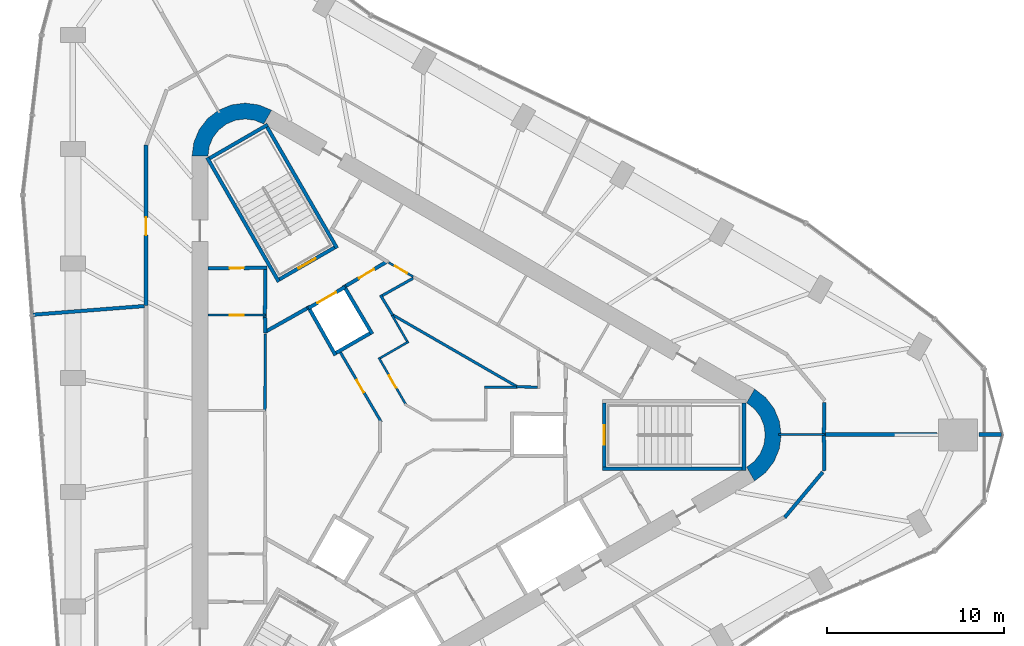
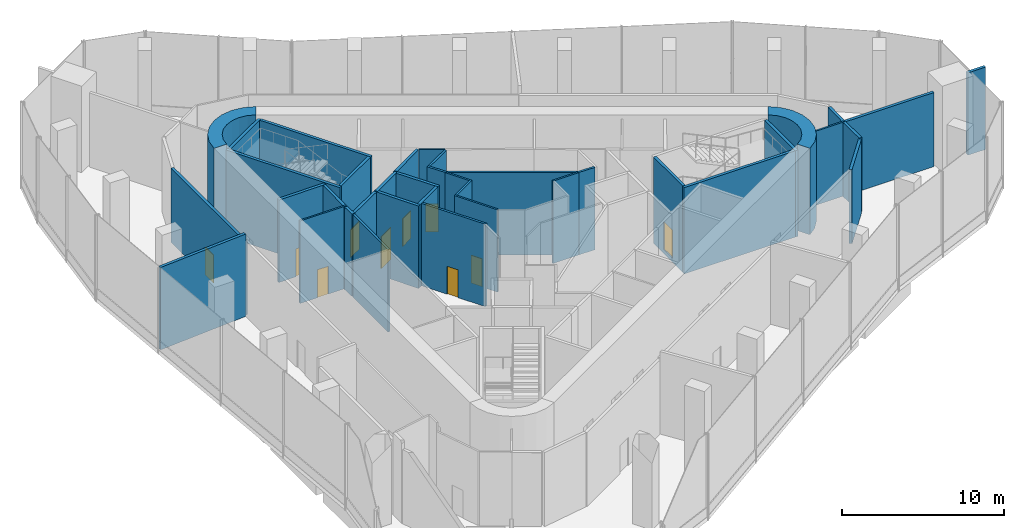
# One storey, part 9 of 13: 38 walls, 10 doors, 10 openings.
"""IFC4 building model written with IfcOpenShell, lengths in metres."""

import ifcopenshell
import ifcopenshell.guid

model = None  # the IFC model being written
_history = None  # IfcOwnerHistory: only IFC2X3 demands one
_inside = {}  # id of a spatial element -> (the spatial element, [elements in it])
_under = {}  # id of a project, library or spatial element -> (it, [spatial elements below it])
_declared = {}  # id of a project -> (the project, [libraries it declares])
_typed = {}  # id of a type object -> (the type object, [elements of that type])
_made_of = {}  # id of a material, layer set ... -> (it, [elements and type objects made of it])


def new_model(schema):
    """Start an empty IFC model of exactly this schema.

    Asked for "IFC4X3", IfcOpenShell would pick the latest addendum, in which some entities
    have other attributes; the version numbers below select the first issue.
    IFC2X3 requires an IfcOwnerHistory on every rooted entity: one is made here for all.
    """
    global model, _history
    if schema == "IFC4X3":
        model = ifcopenshell.file(schema_version=(4, 3, 0, 0))
    else:
        model = ifcopenshell.file(schema=schema)
    _inside.clear()
    _under.clear()
    _declared.clear()
    _typed.clear()
    _made_of.clear()
    _history = None
    if model.schema == "IFC2X3":
        org = make("IfcOrganization", Name="unknown")
        user = make(
            "IfcPersonAndOrganization",
            ThePerson=make("IfcPerson", FamilyName="unknown"),
            TheOrganization=org,
        )
        app = make(
            "IfcApplication",
            ApplicationDeveloper=org,
            Version="unknown",
            ApplicationFullName="unknown",
            ApplicationIdentifier="unknown",
        )
        _history = make(
            "IfcOwnerHistory",
            OwningUser=user,
            OwningApplication=app,
            ChangeAction="ADDED",
            CreationDate=0,
        )
    return model


def make(cls, **values):
    """One entity of the class cls with the attributes given. An attribute that is None is left unset."""
    return model.create_entity(
        cls, **{name: value for name, value in values.items() if value is not None}
    )


def rooted(cls, **values):
    """An entity with a GlobalId (a new one), such as an element, a storey or a relation."""
    return make(cls, GlobalId=ifcopenshell.guid.new(), OwnerHistory=_history, **values)


def si_unit(unit_type, name, prefix=None):
    """IfcSIUnit, for example si_unit("LENGTHUNIT", "METRE", prefix="MILLI")."""
    return make("IfcSIUnit", UnitType=unit_type, Prefix=prefix, Name=name)


def assignment(units):
    """IfcUnitAssignment: the units of a project."""
    return None if units is None else make("IfcUnitAssignment", Units=units)


def point(xyz):
    """IfcCartesianPoint."""
    return None if xyz is None else make("IfcCartesianPoint", Coordinates=xyz)


def direction(xyz):
    """IfcDirection."""
    return None if xyz is None else make("IfcDirection", DirectionRatios=xyz)


def frame(location, z_axis=None, x_axis=None):
    """IfcAxis2Placement3D, a coordinate frame: its origin and axes. An axis left out is left unset."""
    return make(
        "IfcAxis2Placement3D",
        Location=point(location),
        Axis=direction(z_axis),
        RefDirection=direction(x_axis),
    )


def frame_2d(location, x_axis=None):
    """IfcAxis2Placement2D, a coordinate frame in the plane: its origin and x axis."""
    return make(
        "IfcAxis2Placement2D", Location=point(location), RefDirection=direction(x_axis)
    )


def origin():
    """The frame at (0, 0, 0) with its axes left unset."""
    return frame((0.0, 0.0, 0.0))


def place(relative_to, where):
    """IfcLocalPlacement: puts the frame where relative to a parent placement (None: the world)."""
    return make(
        "IfcLocalPlacement", PlacementRelTo=relative_to, RelativePlacement=where
    )


def context(
    kind, dimensions, precision=None, world=None, true_north=None, identifier=None
):
    """IfcGeometricRepresentationContext, for example the 3D "Model" context."""
    return make(
        "IfcGeometricRepresentationContext",
        ContextIdentifier=identifier,
        ContextType=kind,
        CoordinateSpaceDimension=dimensions,
        Precision=precision,
        WorldCoordinateSystem=world,
        TrueNorth=true_north,
    )


def subcontext(parent, identifier, kind, view, scale=None):
    """IfcGeometricRepresentationSubContext, for example "Body" below "Model"."""
    return make(
        "IfcGeometricRepresentationSubContext",
        ContextIdentifier=identifier,
        ContextType=kind,
        ParentContext=parent,
        TargetScale=scale,
        TargetView=view,
    )


def project(units=None, contexts=None):
    """IfcProject with its units and contexts."""
    return rooted(
        "IfcProject",
        Name="project",
        RepresentationContexts=contexts,
        UnitsInContext=assignment(units),
    )


def spatial(cls, under=None, at=None, **own):
    """A site, building, storey or space (cls), placed at a placement, below another one or the project."""
    s = rooted(cls, ObjectPlacement=at, **own)
    if under is not None:
        _under.setdefault(under.id(), (under, []))[1].append(s)
    return s


def polyline(points):
    """IfcPolyline through the points."""
    return make("IfcPolyline", Points=[point(p) for p in points])


def profile(cls, at=None, kind="AREA", **sizes):
    """A parametric profile (cls). Its sizes go by their IFC names, for example OverallWidth=200.0."""
    return make(cls, ProfileType=kind, Position=at, **sizes)


def rectangle(**sizes):
    """IfcRectangleProfileDef."""
    return profile("IfcRectangleProfileDef", **sizes)


def outline(outer, holes=None, kind="AREA"):
    """IfcArbitraryClosedProfileDef: a profile drawn as a closed curve; with holes, ...WithVoids."""
    if holes is None:
        return make("IfcArbitraryClosedProfileDef", ProfileType=kind, OuterCurve=outer)
    return make(
        "IfcArbitraryProfileDefWithVoids",
        ProfileType=kind,
        OuterCurve=outer,
        InnerCurves=holes,
    )


def extrude(swept, where, along, depth):
    """IfcExtrudedAreaSolid: the profile swept, set in the frame where, extruded along a direction by depth."""
    return make(
        "IfcExtrudedAreaSolid",
        SweptArea=swept,
        Position=where,
        ExtrudedDirection=direction(along),
        Depth=depth,
    )


def shape(context_of_items, identifier, shape_type, items):
    """IfcShapeRepresentation: the items that make up one representation, for example the "Body"."""
    return make(
        "IfcShapeRepresentation",
        ContextOfItems=context_of_items,
        RepresentationIdentifier=identifier,
        RepresentationType=shape_type,
        Items=items,
    )


def material(Name=None, Category=None):
    """IfcMaterial."""
    return make("IfcMaterial", Name=Name, Category=Category)


def layer(
    of_material, thickness, ventilated=None, Name=None, Category=None, Priority=None
):
    """IfcMaterialLayer: one layer of a wall or slab, of a material (None: an air gap)."""
    return make(
        "IfcMaterialLayer",
        Material=of_material,
        LayerThickness=thickness,
        IsVentilated=ventilated,
        Name=Name,
        Category=Category,
        Priority=Priority,
    )


def layer_set(layers, Name=None):
    """IfcMaterialLayerSet."""
    return make("IfcMaterialLayerSet", MaterialLayers=layers, LayerSetName=Name)


def made_of(thing, what):
    """Note that an element or type object is made of a material, layer set ...; save() writes the relation."""
    if what is not None:
        _made_of.setdefault(what.id(), (what, []))[1].append(thing)
    return thing


def type_object(cls, material=None, **own):
    """A type object (cls), such as IfcWallType, which elements share."""
    return made_of(rooted(cls, **own), material)


def element(
    cls,
    number,
    at=None,
    inside=None,
    cuts=None,
    type_object=None,
    material=None,
    context=None,
    identifier="Body",
    shape_type=None,
    held_by="IfcProductDefinitionShape",
    body=None,
    shapes=None,
    **own,
):
    """One element of the class cls, such as IfcWall. Its Tag is "e" and its number.

    at: its placement. inside: the storey or other place that contains it. cuts: it is an
    opening in that element (IfcRelVoidsElement). A single representation is given by context,
    identifier, shape_type and body (its items); several are given by shapes. held_by: the class
    of the entity that holds the representations. save() writes the other relations.
    """
    e = rooted(cls, Tag="e%d" % number, ObjectPlacement=at, **own)
    if body is not None:
        shapes = [shape(context, identifier, shape_type, body)]
    if shapes is not None:
        e.Representation = make(held_by, Representations=shapes)
    if inside is not None:
        _inside.setdefault(inside.id(), (inside, []))[1].append(e)
    if cuts is not None:
        rooted(
            "IfcRelVoidsElement", RelatingBuildingElement=cuts, RelatedOpeningElement=e
        )
    if type_object is not None:
        _typed.setdefault(type_object.id(), (type_object, []))[1].append(e)
    return made_of(e, material)


def fill(opening, filler):
    """IfcRelFillsElement: the door or window that sits in an opening."""
    return rooted(
        "IfcRelFillsElement",
        RelatingOpeningElement=opening,
        RelatedBuildingElement=filler,
    )


def aggregate(whole, parts):
    """IfcRelAggregates: a whole, such as a stair, and the parts it consists of."""
    return rooted("IfcRelAggregates", RelatingObject=whole, RelatedObjects=parts)


def save(model, path):
    """Write the relations noted so far, then the file.

    IfcRelAggregates (storeys below a building ...), IfcRelContainedInSpatialStructure (elements
    in a storey), IfcRelDefinesByType, IfcRelAssociatesMaterial and IfcRelDeclares: one each for
    every whole, place, type object, material and project.
    """
    for whole, parts in _under.values():
        aggregate(whole, parts)
    for where, things in _inside.values():
        rooted(
            "IfcRelContainedInSpatialStructure",
            RelatedElements=things,
            RelatingStructure=where,
        )
    for kind, things in _typed.values():
        rooted("IfcRelDefinesByType", RelatedObjects=things, RelatingType=kind)
    for what, things in _made_of.values():
        rooted("IfcRelAssociatesMaterial", RelatedObjects=things, RelatingMaterial=what)
    for by, libraries in _declared.values():
        rooted("IfcRelDeclares", RelatingContext=by, RelatedDefinitions=libraries)
    model.write(path)


model = new_model("IFC4")

# Units and contexts
model_context = context("Model", 3, precision=1e-05, world=origin(), true_north=direction((0.0, 1.0)))
body_context = subcontext(model_context, "Body", "Model", "MODEL_VIEW")
ifc_project = project(units=[si_unit("LENGTHUNIT", "METRE"), si_unit("AREAUNIT", "SQUARE_METRE"), si_unit("VOLUMEUNIT", "CUBIC_METRE"), si_unit("PLANEANGLEUNIT", "RADIAN"), si_unit("MASSUNIT", "GRAM", prefix="KILO")], contexts=[model_context])

# Site, building, storey
site_placement = place(None, origin())
site = spatial("IfcSite", under=ifc_project, at=site_placement, CompositionType="ELEMENT")
building_placement = place(site_placement, origin())
building = spatial("IfcBuilding", under=site, at=building_placement, Name="Tanit Gate Tower", CompositionType="ELEMENT")
storey_placement = place(building_placement, frame((0.0, 0.0, 398.300048828125)))
storey = spatial("IfcBuildingStorey", under=building, at=storey_placement, Name="L91", CompositionType="ELEMENT", Elevation=398.300048828125)

# Walls
ifc_material_1 = material(Name="Concrete C40/50", Category="concrete")
ifc_layer_1 = layer(ifc_material_1, 0.89990234375)
ifc_layer_set_1 = layer_set([ifc_layer_1], Name="CORE WALL 900 C40/50")
wall_type_1 = type_object("IfcWallType", Name="CORE WALL 900 C40/50", PredefinedType="SHEAR", material=ifc_layer_set_1)
wall_1_placement = place(storey_placement, origin())
element("IfcWall", 1, at=wall_1_placement, inside=storey, type_object=wall_type_1, Name="CORE WALL CORNER", PredefinedType="SHEAR", context=body_context, shape_type="SweptSolid", body=[
    extrude(outline(polyline([(-7.60009765625, 18.359619140625), (-8.323486328125, 18.659423828125), (-9.10009765625, 18.76171875), (-9.87646484375, 18.659423828125), (-10.60009765625, 18.359619140625), (-11.22119140625, 17.883056640625), (-11.697998046875, 17.26171875), (-11.997802734375, 16.5380859375), (-12.10009765625, 15.76171875), (-11.199951171875, 15.76171875), (-11.12841796875, 16.30517578125), (-10.918701171875, 16.811767578125), (-10.5849609375, 17.24658203125), (-10.14990234375, 17.580322265625), (-9.6435546875, 17.7900390625), (-9.10009765625, 17.86181640625), (-8.556396484375, 17.7900390625), (-8.050048828125, 17.580322265625), (-7.60009765625, 18.359619140625)])), origin(), (0.0, 0.0, 1.0), 6.5),
])
wall_2_placement = place(storey_placement, origin())
element("IfcWall", 2, at=wall_2_placement, inside=storey, type_object=wall_type_1, Name="CORE WALL CORNER", PredefinedType="SHEAR", context=body_context, shape_type="SweptSolid", body=[
    extrude(outline(polyline([(19.699951171875, -2.59814453125), (20.3212890625, -2.121337890625), (20.798095703125, -1.5), (21.097900390625, -0.776611328125), (21.199951171875, 0.0), (21.097900390625, 0.776611328125), (20.798095703125, 1.5), (20.3212890625, 2.121337890625), (19.699951171875, 2.59814453125), (19.25, 1.818603515625), (19.684814453125, 1.48486328125), (20.018798828125, 1.050048828125), (20.228515625, 0.54345703125), (20.300048828125, 0.0), (20.228515625, -0.54345703125), (20.018798828125, -1.050048828125), (19.684814453125, -1.48486328125), (19.25, -1.818603515625), (19.699951171875, -2.59814453125)])), origin(), (0.0, 0.0, 1.0), 6.5),
])

# Wall, opening, door
ifc_material_2 = material(Name="Fire-rated gypsum board partition")
ifc_layer_2 = layer(ifc_material_2, 0.199951171875)
ifc_layer_set_2 = layer_set([ifc_layer_2], Name="INT-WALL-COMPARTMENT")
wall_type_2 = type_object("IfcWallType", Name="INT-WALL-COMPARTMENT", PredefinedType="PARTITIONING", material=ifc_layer_set_2)
wall_3_placement = place(storey_placement, frame((-7.85009765625, 9.450927734375, 0.0), z_axis=(0.0, 0.0, 1.0), x_axis=(-0.999957167047, -0.009255488683, 0.0)))
wall_3 = element("IfcWall", 3, at=wall_3_placement, inside=storey, type_object=wall_type_2, Name="Wall Compartment W039", PredefinedType="PARTITIONING", context=body_context, shape_type="SweptSolid", body=[
    extrude(rectangle(XDim=3.35009765625, YDim=0.199951171875, at=frame_2d((1.675048828125, 0.0))), origin(), (0.0, 0.0, 1.0), 6.199951171875),
])
opening_1_placement = place(wall_3_placement, frame((1.3251953125, 0.0, 0.0)))
opening_1 = element("IfcOpeningElement", 4, at=opening_1_placement, cuts=wall_3, Name="Opening R08-91-15", PredefinedType="OPENING", context=body_context, shape_type="SweptSolid", body=[
    extrude(rectangle(XDim=0.800048828125, YDim=2.10009765625, at=frame_2d((0.39990234375, 1.050048828125))), frame((0.0, 0.10986328125, 0.0), z_axis=(0.0, -1.0, 0.0), x_axis=(1.0, 0.0, 0.0)), (0.0, 0.0, 1.0), 0.219970703125),
])
ifc_material_3 = material(Name="Timber door leaf", Category="wood")
door_type_1 = type_object("IfcDoorType", Name="INT-DOOR-RISER-800", OperationType="NOTDEFINED", PredefinedType="USERDEFINED", material=ifc_material_3)
door_1_placement = place(opening_1_placement, origin())
door_1 = element("IfcDoor", 5, at=door_1_placement, inside=storey, type_object=door_type_1, Name="Door R08-91-15", ObjectType="FIRE DOOR", OperationType="SINGLE_SWING_RIGHT", OverallHeight=2.10009765625, OverallWidth=0.800048828125, PredefinedType="USERDEFINED", context=body_context, shape_type="SweptSolid", body=[
    extrude(rectangle(XDim=0.800048828125, YDim=2.10009765625, at=frame_2d((0.39990234375, 1.050048828125))), frame((0.0, 0.02490234375, 0.0), z_axis=(0.0, -1.0, 0.0), x_axis=(1.0, 0.0, 0.0)), (0.0, 0.0, 1.0), 0.050048828125),
])
fill(opening_1, door_1)

# Walls
wall_4_placement = place(storey_placement, frame((-7.981201171875, 6.64990234375, 0.0), z_axis=(0.0, 0.0, 1.0), x_axis=(0.011120469654, 0.999938165666, 0.0)))
element("IfcWall", 6, at=wall_4_placement, inside=storey, type_object=wall_type_2, Name="Wall Compartment W040", PredefinedType="PARTITIONING", context=body_context, shape_type="SweptSolid", body=[
    extrude(rectangle(XDim=2.700439453125, YDim=0.199951171875, at=frame_2d((1.35009765625, 0.0))), origin(), (0.0, 0.0, 1.0), 6.199951171875),
])
wall_5_placement = place(storey_placement, frame((-7.949951171875, 5.7724609375, 0.0), z_axis=(0.0, 0.0, 1.0), x_axis=(-0.030861509705, 0.999523670164, 0.0)))
element("IfcWall", 7, at=wall_5_placement, inside=storey, type_object=wall_type_2, Name="Wall Compartment W042", PredefinedType="PARTITIONING", context=body_context, shape_type="SweptSolid", body=[
    extrude(rectangle(XDim=0.878173828125, YDim=0.199951171875, at=frame_2d((0.43896484375, 0.0))), origin(), (0.0, 0.0, 1.0), 6.199951171875),
])
wall_6_placement = place(storey_placement, frame((-5.600341796875, 7.16015625, 0.0), z_axis=(0.0, 0.0, 1.0), x_axis=(-0.871345799774, -0.490669437825, 0.0)))
element("IfcWall", 8, at=wall_6_placement, inside=storey, type_object=wall_type_2, Name="Wall Compartment W069", PredefinedType="PARTITIONING", context=body_context, shape_type="SweptSolid", body=[
    extrude(rectangle(XDim=2.7255859375, YDim=0.199951171875, at=frame_2d((1.36279296875, 0.0))), origin(), (0.0, 0.0, 1.0), 6.199951171875),
])

# Wall, opening, door
wall_7_placement = place(storey_placement, frame((-1.069091796875, 9.809814453125, 0.0), z_axis=(0.0, 0.0, 1.0), x_axis=(-0.860617791406, -0.509251428192, 0.0)))
wall_7 = element("IfcWall", 9, at=wall_7_placement, inside=storey, type_object=wall_type_2, Name="Wall Compartment W070", PredefinedType="PARTITIONING", context=body_context, shape_type="SweptSolid", body=[
    extrude(rectangle(XDim=2.709228515625, YDim=0.199951171875, at=frame_2d((1.3544921875, 0.0))), origin(), (0.0, 0.0, 1.0), 6.199951171875),
])
opening_2_placement = place(wall_7_placement, frame((0.86083984375, 0.0, 0.0)))
opening_2 = element("IfcOpeningElement", 10, at=opening_2_placement, cuts=wall_7, Name="Opening F10-91-05", PredefinedType="OPENING", context=body_context, shape_type="SweptSolid", body=[
    extrude(rectangle(XDim=1.0, YDim=2.10009765625, at=frame_2d((0.5, 1.050048828125))), frame((0.0, 0.10986328125, 0.0), z_axis=(0.0, -1.0, 0.0), x_axis=(1.0, 0.0, 0.0)), (0.0, 0.0, 1.0), 0.219970703125),
])
ifc_material_4 = material(Name="Fire-rated steel door leaf", Category="steel")
door_type_2 = type_object("IfcDoorType", Name="INT-DOOR-FIRE-1000", OperationType="NOTDEFINED", PredefinedType="USERDEFINED", material=ifc_material_4)
door_2_placement = place(opening_2_placement, origin())
door_2 = element("IfcDoor", 11, at=door_2_placement, inside=storey, type_object=door_type_2, Name="Door F10-91-05", ObjectType="FIRE DOOR", OperationType="SINGLE_SWING_RIGHT", OverallHeight=2.10009765625, OverallWidth=1.0, PredefinedType="USERDEFINED", context=body_context, shape_type="SweptSolid", body=[
    extrude(rectangle(XDim=1.0, YDim=2.10009765625, at=frame_2d((0.5, 1.050048828125))), frame((0.0, 0.02490234375, 0.0), z_axis=(0.0, -1.0, 0.0), x_axis=(1.0, 0.0, 0.0)), (0.0, 0.0, 1.0), 0.050048828125),
])
fill(opening_2, door_2)

wall_8_placement = place(storey_placement, frame((-14.699951171875, 16.3994140625, 0.0), z_axis=(0.0, 0.0, 1.0), x_axis=(0.0, -1.0, 0.0)))
wall_8 = element("IfcWall", 12, at=wall_8_placement, inside=storey, type_object=wall_type_2, Name="Wall Compartment W096", PredefinedType="PARTITIONING", context=body_context, shape_type="SweptSolid", body=[
    extrude(rectangle(XDim=9.07763671875, YDim=0.199951171875, at=frame_2d((4.538818359375, 0.0))), origin(), (0.0, 0.0, 1.0), 5.570068359375),
])
opening_3_placement = place(wall_8_placement, frame((4.10009765625, 0.0, 0.0)))
opening_3 = element("IfcOpeningElement", 13, at=opening_3_placement, cuts=wall_8, Name="Opening F10-91-26", PredefinedType="OPENING", context=body_context, shape_type="SweptSolid", body=[
    extrude(rectangle(XDim=1.0, YDim=2.10009765625, at=frame_2d((0.5, 1.050048828125))), frame((0.0, 0.10986328125, 0.0), z_axis=(0.0, -1.0, 0.0), x_axis=(1.0, 0.0, 0.0)), (0.0, 0.0, 1.0), 0.219970703125),
])
door_3_placement = place(opening_3_placement, origin())
door_3 = element("IfcDoor", 14, at=door_3_placement, inside=storey, type_object=door_type_2, Name="Door F10-91-26", ObjectType="FIRE DOOR", OperationType="SINGLE_SWING_RIGHT", OverallHeight=2.10009765625, OverallWidth=1.0, PredefinedType="USERDEFINED", context=body_context, shape_type="SweptSolid", body=[
    extrude(rectangle(XDim=1.0, YDim=2.10009765625, at=frame_2d((0.5, 1.050048828125))), frame((0.0, 0.02490234375, 0.0), z_axis=(0.0, -1.0, 0.0), x_axis=(1.0, 0.0, 0.0)), (0.0, 0.0, 1.0), 0.050048828125),
])
fill(opening_3, door_3)

# Walls
wall_9_placement = place(storey_placement, frame((-14.800048828125, 7.2900390625, 0.0), z_axis=(0.0, 0.0, 1.0), x_axis=(-0.996965352489, -0.077846553789, 0.0)))
element("IfcWall", 15, at=wall_9_placement, inside=storey, type_object=wall_type_2, Name="Wall Compartment W106", PredefinedType="PARTITIONING", context=body_context, shape_type="SweptSolid", body=[
    extrude(rectangle(XDim=6.36328125, YDim=0.199951171875, at=frame_2d((3.181640625, 0.0))), origin(), (0.0, 0.0, 1.0), 6.199951171875),
])
wall_10_placement = place(storey_placement, frame((23.6162109375, 0.0, 0.0), z_axis=(0.0, 0.0, 1.0), x_axis=(0.015079027421, 0.999886305003, 0.0)))
element("IfcWall", 16, at=wall_10_placement, inside=storey, type_object=wall_type_2, Name="Wall Compartment W121", PredefinedType="PARTITIONING", context=body_context, shape_type="SweptSolid", body=[
    extrude(rectangle(XDim=1.82958984375, YDim=0.199951171875, at=frame_2d((0.914794921875, 0.0))), origin(), (0.0, 0.0, 1.0), 5.570068359375),
])
wall_11_placement = place(storey_placement, frame((23.646240234375, 0.030029296875, 0.0), z_axis=(0.0, 0.0, 1.0), x_axis=(1.0, 0.0, 0.0)))
element("IfcWall", 17, at=wall_11_placement, inside=storey, type_object=wall_type_2, Name="Wall Compartment W127", PredefinedType="PARTITIONING", context=body_context, shape_type="SweptSolid", body=[
    extrude(rectangle(XDim=6.349365234375, YDim=0.199951171875, at=frame_2d((3.1748046875, 0.0))), origin(), (0.0, 0.0, 1.0), 5.570068359375),
])
wall_12_placement = place(storey_placement, frame((32.395751953125, 0.030029296875, 0.0), z_axis=(0.0, 0.0, 1.0), x_axis=(1.0, 0.0, 0.0)))
element("IfcWall", 18, at=wall_12_placement, inside=storey, type_object=wall_type_2, Name="Wall Compartment W128", PredefinedType="PARTITIONING", context=body_context, shape_type="SweptSolid", body=[
    extrude(rectangle(XDim=1.267822265625, YDim=0.199951171875, at=frame_2d((0.6337890625, 0.0))), origin(), (0.0, 0.0, 1.0), 6.199951171875),
])
wall_13_placement = place(storey_placement, frame((23.646728515625, -2.01953125, 0.0), z_axis=(0.0, 0.0, 1.0), x_axis=(-0.015109493549, 0.999885845087, 0.0)))
element("IfcWall", 19, at=wall_13_placement, inside=storey, type_object=wall_type_2, Name="Wall Compartment W133", PredefinedType="PARTITIONING", context=body_context, shape_type="SweptSolid", body=[
    extrude(rectangle(XDim=2.019775390625, YDim=0.199951171875, at=frame_2d((1.009765625, 0.0))), origin(), (0.0, 0.0, 1.0), 5.570068359375),
])
wall_14_placement = place(storey_placement, frame((21.4013671875, -4.657470703125, 0.0), z_axis=(0.0, 0.0, 1.0), x_axis=(0.642826822895, 0.76601153762, 0.0)))
element("IfcWall", 20, at=wall_14_placement, inside=storey, type_object=wall_type_2, Name="Wall Compartment W134", PredefinedType="PARTITIONING", context=body_context, shape_type="SweptSolid", body=[
    extrude(rectangle(XDim=3.339599609375, YDim=0.199951171875, at=frame_2d((1.669921875, 0.0))), origin(), (0.0, 0.0, 1.0), 5.570068359375),
])

# Wall, opening, door
ifc_material_5 = material(Name="Gypsum board partition")
ifc_layer_3 = layer(ifc_material_5, 0.1201171875)
ifc_layer_set_3 = layer_set([ifc_layer_3], Name="INT-WALL-PARTITION")
wall_type_3 = type_object("IfcWallType", Name="INT-WALL-PARTITION", PredefinedType="PARTITIONING", material=ifc_layer_set_3)
wall_15_placement = place(storey_placement, frame((-7.949951171875, 6.780029296875, 0.0), z_axis=(0.0, 0.0, 1.0), x_axis=(-1.0, 0.0, 0.0)))
wall_15 = element("IfcWall", 21, at=wall_15_placement, inside=storey, type_object=wall_type_3, Name="Wall Partition W038", PredefinedType="PARTITIONING", context=body_context, shape_type="SweptSolid", body=[
    extrude(rectangle(XDim=3.25, YDim=0.1201171875, at=frame_2d((1.625, 0.0))), origin(), (0.0, 0.0, 1.0), 6.199951171875),
])
opening_4_placement = place(wall_15_placement, frame((1.22509765625, 0.0, 0.0)))
opening_4 = element("IfcOpeningElement", 22, at=opening_4_placement, cuts=wall_15, Name="Opening R08-91-16", PredefinedType="OPENING", context=body_context, shape_type="SweptSolid", body=[
    extrude(rectangle(XDim=0.800048828125, YDim=2.10009765625, at=frame_2d((0.39990234375, 1.050048828125))), frame((0.0, 0.070068359375, 0.0), z_axis=(0.0, -1.0, 0.0), x_axis=(1.0, 0.0, 0.0)), (0.0, 0.0, 1.0), 0.14013671875),
])
door_4_placement = place(opening_4_placement, origin())
door_4 = element("IfcDoor", 23, at=door_4_placement, inside=storey, type_object=door_type_1, Name="Door R08-91-16", ObjectType="FIRE DOOR", OperationType="SINGLE_SWING_RIGHT", OverallHeight=2.10009765625, OverallWidth=0.800048828125, PredefinedType="USERDEFINED", context=body_context, shape_type="SweptSolid", body=[
    extrude(rectangle(XDim=0.800048828125, YDim=2.10009765625, at=frame_2d((0.39990234375, 1.050048828125))), frame((0.0, 0.02490234375, 0.0), z_axis=(0.0, -1.0, 0.0), x_axis=(1.0, 0.0, 0.0)), (0.0, 0.0, 1.0), 0.050048828125),
])
fill(opening_4, door_4)

wall_16_placement = place(storey_placement, frame((-0.980712890625, 9.74609375, 0.0), z_axis=(0.0, 0.0, 1.0), x_axis=(0.866019818373, -0.500009674092, 0.0)))
wall_16 = element("IfcWall", 24, at=wall_16_placement, inside=storey, type_object=wall_type_3, Name="Wall Partition W059", PredefinedType="PARTITIONING", context=body_context, shape_type="SweptSolid", body=[
    extrude(rectangle(XDim=1.59423828125, YDim=0.1201171875, at=frame_2d((0.797119140625, 0.0))), origin(), (0.0, 0.0, 1.0), 6.199951171875),
])
opening_5_placement = place(wall_16_placement, frame((0.397216796875, 0.0, 0.0)))
opening_5 = element("IfcOpeningElement", 25, at=opening_5_placement, cuts=wall_16, Name="Opening R08-91-21", PredefinedType="OPENING", context=body_context, shape_type="SweptSolid", body=[
    extrude(rectangle(XDim=0.800048828125, YDim=2.10009765625, at=frame_2d((0.39990234375, 1.050048828125))), frame((0.0, 0.070068359375, 0.0), z_axis=(0.0, -1.0, 0.0), x_axis=(1.0, 0.0, 0.0)), (0.0, 0.0, 1.0), 0.14013671875),
])
door_5_placement = place(opening_5_placement, origin())
door_5 = element("IfcDoor", 26, at=door_5_placement, inside=storey, type_object=door_type_1, Name="Door R08-91-21", ObjectType="FIRE DOOR", OperationType="SINGLE_SWING_RIGHT", OverallHeight=2.10009765625, OverallWidth=0.800048828125, PredefinedType="USERDEFINED", context=body_context, shape_type="SweptSolid", body=[
    extrude(rectangle(XDim=0.800048828125, YDim=2.10009765625, at=frame_2d((0.39990234375, 1.050048828125))), frame((0.0, 0.02490234375, 0.0), z_axis=(0.0, -1.0, 0.0), x_axis=(1.0, 0.0, 0.0)), (0.0, 0.0, 1.0), 0.050048828125),
])
fill(opening_5, door_5)

# Wall
wall_17_placement = place(storey_placement, frame((4.43994140625, 2.699951171875, 0.0), z_axis=(0.0, 0.0, 1.0), x_axis=(1.0, 0.0, 0.0)))
element("IfcWall", 27, at=wall_17_placement, inside=storey, type_object=wall_type_3, Name="Wall Partition W089", PredefinedType="PARTITIONING", context=body_context, shape_type="SweptSolid", body=[
    extrude(rectangle(XDim=1.8603515625, YDim=0.1201171875, at=frame_2d((0.93017578125, 0.0))), origin(), (0.0, 0.0, 1.0), 6.199951171875),
])

# Wall, opening, door
wall_18_placement = place(storey_placement, frame((-1.5439453125, 4.3740234375, 0.0), z_axis=(0.0, 0.0, 1.0), x_axis=(0.500023124857, -0.86601205223, 0.0)))
wall_18 = element("IfcWall", 28, at=wall_18_placement, inside=storey, type_object=wall_type_3, Name="Wall Partition W093", PredefinedType="PARTITIONING", context=body_context, shape_type="SweptSolid", body=[
    extrude(rectangle(XDim=3.069091796875, YDim=0.1201171875, at=frame_2d((1.53466796875, 0.0))), origin(), (0.0, 0.0, 1.0), 6.199951171875),
])
opening_6_placement = place(wall_18_placement, frame((1.16455078125, 0.0, 0.0)))
opening_6 = element("IfcOpeningElement", 29, at=opening_6_placement, cuts=wall_18, Name="Opening R08-91-14", PredefinedType="OPENING", context=body_context, shape_type="SweptSolid", body=[
    extrude(rectangle(XDim=0.800048828125, YDim=2.10009765625, at=frame_2d((0.39990234375, 1.050048828125))), frame((0.0, 0.070068359375, 0.0), z_axis=(0.0, -1.0, 0.0), x_axis=(1.0, 0.0, 0.0)), (0.0, 0.0, 1.0), 0.14013671875),
])
door_6_placement = place(opening_6_placement, origin())
door_6 = element("IfcDoor", 30, at=door_6_placement, inside=storey, type_object=door_type_1, Name="Door R08-91-14", ObjectType="FIRE DOOR", OperationType="SINGLE_SWING_RIGHT", OverallHeight=2.10009765625, OverallWidth=0.800048828125, PredefinedType="USERDEFINED", context=body_context, shape_type="SweptSolid", body=[
    extrude(rectangle(XDim=0.800048828125, YDim=2.10009765625, at=frame_2d((0.39990234375, 1.050048828125))), frame((0.0, 0.02490234375, 0.0), z_axis=(0.0, -1.0, 0.0), x_axis=(1.0, 0.0, 0.0)), (0.0, 0.0, 1.0), 0.050048828125),
])
fill(opening_6, door_6)

# Walls
wall_19_placement = place(storey_placement, frame((0.14013671875, 5.277099609375, 0.0), z_axis=(0.0, 0.0, 1.0), x_axis=(-0.866000971088, -0.500042316284, 0.0)))
element("IfcWall", 31, at=wall_19_placement, inside=storey, type_object=wall_type_3, Name="Wall Partition W094", PredefinedType="PARTITIONING", context=body_context, shape_type="SweptSolid", body=[
    extrude(rectangle(XDim=1.849853515625, YDim=0.1201171875, at=frame_2d((0.9248046875, 0.0))), origin(), (0.0, 0.0, 1.0), 6.199951171875),
])
wall_20_placement = place(storey_placement, frame((-0.81201171875, 6.806396484375, 0.0), z_axis=(0.0, 0.0, 1.0), x_axis=(0.500046227757, -0.865998712531, 0.0)))
element("IfcWall", 32, at=wall_20_placement, inside=storey, type_object=wall_type_3, Name="Wall Partition W095", PredefinedType="PARTITIONING", context=body_context, shape_type="SweptSolid", body=[
    extrude(rectangle(XDim=1.740478515625, YDim=0.1201171875, at=frame_2d((0.8701171875, 0.0))), origin(), (0.0, 0.0, 1.0), 6.199951171875),
])
wall_21_placement = place(storey_placement, frame((23.646240234375, 0.030029296875, 0.0), z_axis=(0.0, 0.0, 1.0), x_axis=(-1.0, 0.0, 0.0)))
element("IfcWall", 33, at=wall_21_placement, inside=storey, type_object=wall_type_3, Name="Wall Partition W125", PredefinedType="PARTITIONING", context=body_context, shape_type="SweptSolid", body=[
    extrude(rectangle(XDim=2.60009765625, YDim=0.1201171875, at=frame_2d((1.300048828125, 0.0))), origin(), (0.0, 0.0, 1.0), 5.570068359375),
])
ifc_material_6 = material(Name="Fire-rated gypsum board partition")
ifc_layer_4 = layer(ifc_material_6, 0.14990234375)
ifc_layer_set_4 = layer_set([ifc_layer_4], Name="INT-WALL-RISER")
wall_type_4 = type_object("IfcWallType", Name="INT-WALL-RISER", PredefinedType="PLUMBINGWALL", material=ifc_layer_set_4)
wall_22_placement = place(storey_placement, frame((-7.95068359375, 5.721923828125, 0.0), z_axis=(0.0, 0.0, 1.0), x_axis=(-0.006701139535, -0.999977547112, 0.0)))
element("IfcWall", 34, at=wall_22_placement, inside=storey, type_object=wall_type_4, Name="Wall Riser W043", PredefinedType="PLUMBINGWALL", context=body_context, shape_type="SweptSolid", body=[
    extrude(rectangle(XDim=4.371826171875, YDim=0.14990234375, at=frame_2d((2.18603515625, 0.0))), origin(), (0.0, 0.0, 1.0), 6.199951171875),
])

# Wall, opening, door
wall_23_placement = place(storey_placement, frame((-1.407470703125, 0.739501953125, 0.0), z_axis=(0.0, 0.0, 1.0), x_axis=(-0.505642484845, 0.862743112125, 0.0)))
wall_23 = element("IfcWall", 35, at=wall_23_placement, inside=storey, type_object=wall_type_4, Name="Wall Riser W073", PredefinedType="PLUMBINGWALL", context=body_context, shape_type="SweptSolid", body=[
    extrude(rectangle(XDim=4.555908203125, YDim=0.14990234375, at=frame_2d((2.27783203125, 0.0))), origin(), (0.0, 0.0, 1.0), 6.199951171875),
])
opening_7_placement = place(wall_23_placement, frame((1.94189453125, 0.0, 0.0)))
opening_7 = element("IfcOpeningElement", 36, at=opening_7_placement, cuts=wall_23, Name="Opening R08-91-10", PredefinedType="OPENING", context=body_context, shape_type="SweptSolid", body=[
    extrude(rectangle(XDim=0.800048828125, YDim=2.10009765625, at=frame_2d((0.39990234375, 1.050048828125))), frame((0.0, 0.0849609375, 0.0), z_axis=(0.0, -1.0, 0.0), x_axis=(1.0, 0.0, 0.0)), (0.0, 0.0, 1.0), 0.169921875),
])
door_7_placement = place(opening_7_placement, origin())
door_7 = element("IfcDoor", 37, at=door_7_placement, inside=storey, type_object=door_type_1, Name="Door R08-91-10", ObjectType="FIRE DOOR", OperationType="SINGLE_SWING_LEFT", OverallHeight=2.10009765625, OverallWidth=0.800048828125, PredefinedType="USERDEFINED", context=body_context, shape_type="SweptSolid", body=[
    extrude(rectangle(XDim=0.800048828125, YDim=2.10009765625, at=frame_2d((0.39990234375, 1.050048828125))), frame((0.0, 0.02490234375, 0.0), z_axis=(0.0, -1.0, 0.0), x_axis=(1.0, 0.0, 0.0)), (0.0, 0.0, 1.0), 0.050048828125),
])
fill(opening_7, door_7)

# Walls
wall_24_placement = place(storey_placement, frame((-0.826904296875, 6.832275390625, 0.0), z_axis=(0.0, 0.0, 1.0), x_axis=(0.866020293397, -0.500008851346, 0.0)))
element("IfcWall", 38, at=wall_24_placement, inside=storey, type_object=wall_type_4, Name="Wall Riser W084", PredefinedType="PLUMBINGWALL", context=body_context, shape_type="SweptSolid", body=[
    extrude(rectangle(XDim=8.264404296875, YDim=0.14990234375, at=frame_2d((4.13232421875, 0.0))), origin(), (0.0, 0.0, 1.0), 6.199951171875),
])
wall_25_placement = place(storey_placement, frame((-1.45068359375, 7.9091796875, 0.0), z_axis=(0.0, 0.0, 1.0), x_axis=(0.520332410011, -0.853963806664, 0.0)))
element("IfcWall", 39, at=wall_25_placement, inside=storey, type_object=wall_type_4, Name="Wall Riser W085", PredefinedType="PLUMBINGWALL", context=body_context, shape_type="SweptSolid", body=[
    extrude(rectangle(XDim=1.325927734375, YDim=0.14990234375, at=frame_2d((0.6630859375, 0.0))), origin(), (0.0, 0.0, 1.0), 6.199951171875),
])
wall_26_placement = place(storey_placement, frame((0.399169921875, 8.862548828125, 0.0), z_axis=(0.0, 0.0, 1.0), x_axis=(-0.871829419551, -0.489809619348, 0.0)))
element("IfcWall", 40, at=wall_26_placement, inside=storey, type_object=wall_type_4, Name="Wall Riser W086", PredefinedType="PLUMBINGWALL", context=body_context, shape_type="SweptSolid", body=[
    extrude(rectangle(XDim=2.002197265625, YDim=0.14990234375, at=frame_2d((1.0009765625, 0.0))), origin(), (0.0, 0.0, 1.0), 6.199951171875),
])
wall_27_placement = place(storey_placement, frame((6.249267578125, 2.7294921875, 0.0), z_axis=(0.0, 0.0, 1.0), x_axis=(0.999719957279, -0.023664467427, 0.0)))
element("IfcWall", 41, at=wall_27_placement, inside=storey, type_object=wall_type_4, Name="Wall Riser W088", PredefinedType="PLUMBINGWALL", context=body_context, shape_type="SweptSolid", body=[
    extrude(rectangle(XDim=1.176025390625, YDim=0.14990234375, at=frame_2d((0.587890625, 0.0))), origin(), (0.0, 0.0, 1.0), 6.199951171875),
])

# Wall, opening, door
ifc_material_7 = material(Name="Gypsum shaft wall system")
ifc_layer_5 = layer(ifc_material_7, 0.199951171875)
ifc_layer_set_5 = layer_set([ifc_layer_5], Name="INT-WALL-SHAFT")
wall_type_5 = type_object("IfcWallType", Name="INT-WALL-SHAFT", PredefinedType="PLUMBINGWALL", material=ifc_layer_set_5)
wall_28_placement = place(storey_placement, frame((-5.524169921875, 7.168212890625, 0.0), z_axis=(0.0, 0.0, 1.0), x_axis=(0.866024647952, 0.500001309137, 0.0)))
wall_28 = element("IfcWall", 42, at=wall_28_placement, inside=storey, type_object=wall_type_5, Name="Wall Shaft W024", PredefinedType="PLUMBINGWALL", context=body_context, shape_type="SweptSolid", body=[
    extrude(rectangle(XDim=2.39990234375, YDim=0.199951171875, at=frame_2d((1.199951171875, 0.0))), origin(), (0.0, 0.0, 1.0), 6.199951171875),
])
opening_8_placement = place(wall_28_placement, frame((0.60009765625, 0.0, 0.0)))
opening_8 = element("IfcOpeningElement", 43, at=opening_8_placement, cuts=wall_28, Name="Opening LDFL2-L91", PredefinedType="OPENING", context=body_context, shape_type="SweptSolid", body=[
    extrude(rectangle(XDim=1.199951171875, YDim=2.39990234375, at=frame_2d((0.60009765625, 1.199951171875))), frame((0.0, 0.10986328125, 0.0), z_axis=(0.0, -1.0, 0.0), x_axis=(1.0, 0.0, 0.0)), (0.0, 0.0, 1.0), 0.219970703125),
])
ifc_material_8 = material(Name="Stainless steel sliding door leaf", Category="steel")
door_type_3 = type_object("IfcDoorType", Name="INT-DOOR-LANDING-1200", OperationType="NOTDEFINED", PredefinedType="USERDEFINED", material=ifc_material_8)
door_8_placement = place(opening_8_placement, origin())
door_8 = element("IfcDoor", 44, at=door_8_placement, inside=storey, type_object=door_type_3, Name="Door LDFL2-L91", ObjectType="LANDING DOOR", OperationType="SLIDING_TO_LEFT", OverallHeight=2.39990234375, OverallWidth=1.199951171875, PredefinedType="USERDEFINED", context=body_context, shape_type="SweptSolid", body=[
    extrude(rectangle(XDim=1.199951171875, YDim=2.39990234375, at=frame_2d((0.60009765625, 1.199951171875))), frame((0.0, 0.02490234375, 0.0), z_axis=(0.0, -1.0, 0.0), x_axis=(1.0, 0.0, 0.0)), (0.0, 0.0, 1.0), 0.050048828125),
])
fill(opening_8, door_8)

# Walls
wall_29_placement = place(storey_placement, frame((-2.04736328125, 5.74609375, 0.0), z_axis=(0.0, 0.0, 1.0), x_axis=(-0.86605622881, -0.499946605688, 0.0)))
element("IfcWall", 45, at=wall_29_placement, inside=storey, type_object=wall_type_5, Name="Wall Shaft W028", PredefinedType="PLUMBINGWALL", context=body_context, shape_type="SweptSolid", body=[
    extrude(rectangle(XDim=2.199951171875, YDim=0.199951171875, at=frame_2d((1.10009765625, 0.0))), origin(), (0.0, 0.0, 1.0), 6.199951171875),
])
wall_30_placement = place(storey_placement, frame((-3.989990234375, 4.509033203125, 0.0), z_axis=(0.0, 0.0, 1.0), x_axis=(-0.491358283181, 0.870957540612, 0.0)))
element("IfcWall", 46, at=wall_30_placement, inside=storey, type_object=wall_type_5, Name="Wall Shaft W026", PredefinedType="PLUMBINGWALL", context=body_context, shape_type="SweptSolid", body=[
    extrude(rectangle(XDim=3.200439453125, YDim=0.199951171875, at=frame_2d((1.60009765625, 0.0))), origin(), (0.0, 0.0, 1.0), 6.199951171875),
])
wall_31_placement = place(storey_placement, frame((-3.53759765625, 8.46533203125, 0.0), z_axis=(0.0, 0.0, 1.0), x_axis=(0.508616218331, -0.860993346345, 0.0)))
element("IfcWall", 47, at=wall_31_placement, inside=storey, type_object=wall_type_5, Name="Wall Shaft W027", PredefinedType="PLUMBINGWALL", context=body_context, shape_type="SweptSolid", body=[
    extrude(rectangle(XDim=3.2001953125, YDim=0.199951171875, at=frame_2d((1.60009765625, 0.0))), origin(), (0.0, 0.0, 1.0), 6.199951171875),
])
ifc_material_9 = material(Name="Concrete C40/50", Category="concrete")
ifc_layer_6 = layer(ifc_material_9, 0.199951171875)
ifc_layer_set_6 = layer_set([ifc_layer_6], Name="INT-WALL-STAIR")
wall_type_6 = type_object("IfcWallType", Name="INT-WALL-STAIR", PredefinedType="SHEAR", material=ifc_layer_set_6)
wall_32_placement = place(storey_placement, frame((19.10009765625, -2.0, -0.300048828125), z_axis=(0.0, 0.0, 1.0), x_axis=(0.0, 1.0, 0.0)))
element("IfcWall", 48, at=wall_32_placement, inside=storey, type_object=wall_type_6, Name="Wall Stair W012", PredefinedType="SHEAR", context=body_context, shape_type="SweptSolid", body=[
    extrude(rectangle(XDim=3.800048828125, YDim=0.199951171875, at=frame_2d((1.89990234375, 0.0))), origin(), (0.0, 0.0, 1.0), 6.5),
])
wall_33_placement = place(storey_placement, frame((11.10009765625, -1.89990234375, -0.300048828125), z_axis=(0.0, 0.0, 1.0), x_axis=(1.0, 0.0, 0.0)))
element("IfcWall", 49, at=wall_33_placement, inside=storey, type_object=wall_type_6, Name="Wall Stair W013", PredefinedType="SHEAR", context=body_context, shape_type="SweptSolid", body=[
    extrude(rectangle(XDim=7.89990234375, YDim=0.199951171875, at=frame_2d((3.949951171875, 0.0))), origin(), (0.0, 0.0, 1.0), 6.5),
])

# Wall, opening, door
wall_34_placement = place(storey_placement, frame((11.199951171875, -1.800048828125, -0.300048828125), z_axis=(0.0, 0.0, 1.0), x_axis=(0.0, 1.0, 0.0)))
wall_34 = element("IfcWall", 50, at=wall_34_placement, inside=storey, type_object=wall_type_6, Name="Wall Stair W014", PredefinedType="SHEAR", context=body_context, shape_type="SweptSolid", body=[
    extrude(rectangle(XDim=3.60009765625, YDim=0.199951171875, at=frame_2d((1.800048828125, 0.0))), origin(), (0.0, 0.0, 1.0), 6.5),
])
opening_9_placement = place(wall_34_placement, frame((1.25, 0.0, 0.300048828125)))
opening_9 = element("IfcOpeningElement", 51, at=opening_9_placement, cuts=wall_34, Name="Opening S11-91-01", PredefinedType="OPENING", context=body_context, shape_type="SweptSolid", body=[
    extrude(rectangle(XDim=1.10009765625, YDim=2.10009765625, at=frame_2d((0.550048828125, 1.050048828125))), frame((0.0, 0.10986328125, 0.0), z_axis=(0.0, -1.0, 0.0), x_axis=(1.0, 0.0, 0.0)), (0.0, 0.0, 1.0), 0.219970703125),
])
ifc_material_10 = material(Name="Timber door leaf", Category="wood")
door_type_4 = type_object("IfcDoorType", Name="INT-DOOR-STAIR-1100", OperationType="NOTDEFINED", PredefinedType="USERDEFINED", material=ifc_material_10)
door_9_placement = place(opening_9_placement, origin())
door_9 = element("IfcDoor", 52, at=door_9_placement, inside=storey, type_object=door_type_4, Name="Door S11-91-01", ObjectType="FIRE DOOR", OperationType="SINGLE_SWING_LEFT", OverallHeight=2.10009765625, OverallWidth=1.10009765625, PredefinedType="USERDEFINED", context=body_context, shape_type="SweptSolid", body=[
    extrude(rectangle(XDim=1.10009765625, YDim=2.10009765625, at=frame_2d((0.550048828125, 1.050048828125))), frame((0.0, 0.02490234375, 0.0), z_axis=(0.0, -1.0, 0.0), x_axis=(1.0, 0.0, 0.0)), (0.0, 0.0, 1.0), 0.050048828125),
])
fill(opening_9, door_9)

# Walls
wall_35_placement = place(storey_placement, frame((-11.245361328125, 15.677734375, -0.300048828125), z_axis=(0.0, 0.0, 1.0), x_axis=(0.499977274689, -0.866038523851, 0.0)))
element("IfcWall", 53, at=wall_35_placement, inside=storey, type_object=wall_type_6, Name="Wall Stair W020", PredefinedType="SHEAR", context=body_context, shape_type="SweptSolid", body=[
    extrude(rectangle(XDim=8.10009765625, YDim=0.199951171875, at=frame_2d((4.050048828125, 0.0))), origin(), (0.0, 0.0, 1.0), 6.5),
])
wall_36_placement = place(storey_placement, frame((-7.81787109375, 17.541015625, -0.300048828125), z_axis=(0.0, 0.0, 1.0), x_axis=(-0.866044365799, -0.499967155389, 0.0)))
element("IfcWall", 54, at=wall_36_placement, inside=storey, type_object=wall_type_6, Name="Wall Stair W021", PredefinedType="SHEAR", context=body_context, shape_type="SweptSolid", body=[
    extrude(rectangle(XDim=3.800048828125, YDim=0.199951171875, at=frame_2d((1.89990234375, 0.0))), origin(), (0.0, 0.0, 1.0), 6.5),
])
wall_37_placement = place(storey_placement, frame((-7.8544921875, 17.404541015625, -0.300048828125), z_axis=(0.0, 0.0, 1.0), x_axis=(0.499997992926, -0.866026562566, 0.0)))
element("IfcWall", 55, at=wall_37_placement, inside=storey, type_object=wall_type_6, Name="Wall Stair W022", PredefinedType="SHEAR", context=body_context, shape_type="SweptSolid", body=[
    extrude(rectangle(XDim=7.89990234375, YDim=0.199951171875, at=frame_2d((3.949951171875, 0.0))), origin(), (0.0, 0.0, 1.0), 6.5),
])

# Wall, opening, door
wall_38_placement = place(storey_placement, frame((-7.158935546875, 8.799560546875, -0.300048828125), z_axis=(0.0, 0.0, 1.0), x_axis=(0.866047807691, 0.499961193289, 0.0)))
wall_38 = element("IfcWall", 56, at=wall_38_placement, inside=storey, type_object=wall_type_6, Name="Wall Stair W023", PredefinedType="SHEAR", context=body_context, shape_type="SweptSolid", body=[
    extrude(rectangle(XDim=3.599853515625, YDim=0.199951171875, at=frame_2d((1.7998046875, 0.0))), origin(), (0.0, 0.0, 1.0), 6.5),
])
opening_10_placement = place(wall_38_placement, frame((1.25, 0.0, 0.300048828125)))
opening_10 = element("IfcOpeningElement", 57, at=opening_10_placement, cuts=wall_38, Name="Opening S11-91-04", PredefinedType="OPENING", context=body_context, shape_type="SweptSolid", body=[
    extrude(rectangle(XDim=1.10009765625, YDim=2.10009765625, at=frame_2d((0.550048828125, 1.050048828125))), frame((0.0, 0.10986328125, 0.0), z_axis=(0.0, -1.0, 0.0), x_axis=(1.0, 0.0, 0.0)), (0.0, 0.0, 1.0), 0.219970703125),
])
door_10_placement = place(opening_10_placement, origin())
door_10 = element("IfcDoor", 58, at=door_10_placement, inside=storey, type_object=door_type_4, Name="Door S11-91-04", ObjectType="FIRE DOOR", OperationType="SINGLE_SWING_RIGHT", OverallHeight=2.10009765625, OverallWidth=1.10009765625, PredefinedType="USERDEFINED", context=body_context, shape_type="SweptSolid", body=[
    extrude(rectangle(XDim=1.10009765625, YDim=2.10009765625, at=frame_2d((0.550048828125, 1.050048828125))), frame((0.0, 0.02490234375, 0.0), z_axis=(0.0, -1.0, 0.0), x_axis=(1.0, 0.0, 0.0)), (0.0, 0.0, 1.0), 0.050048828125),
])
fill(opening_10, door_10)

save(model, "model.ifc")
